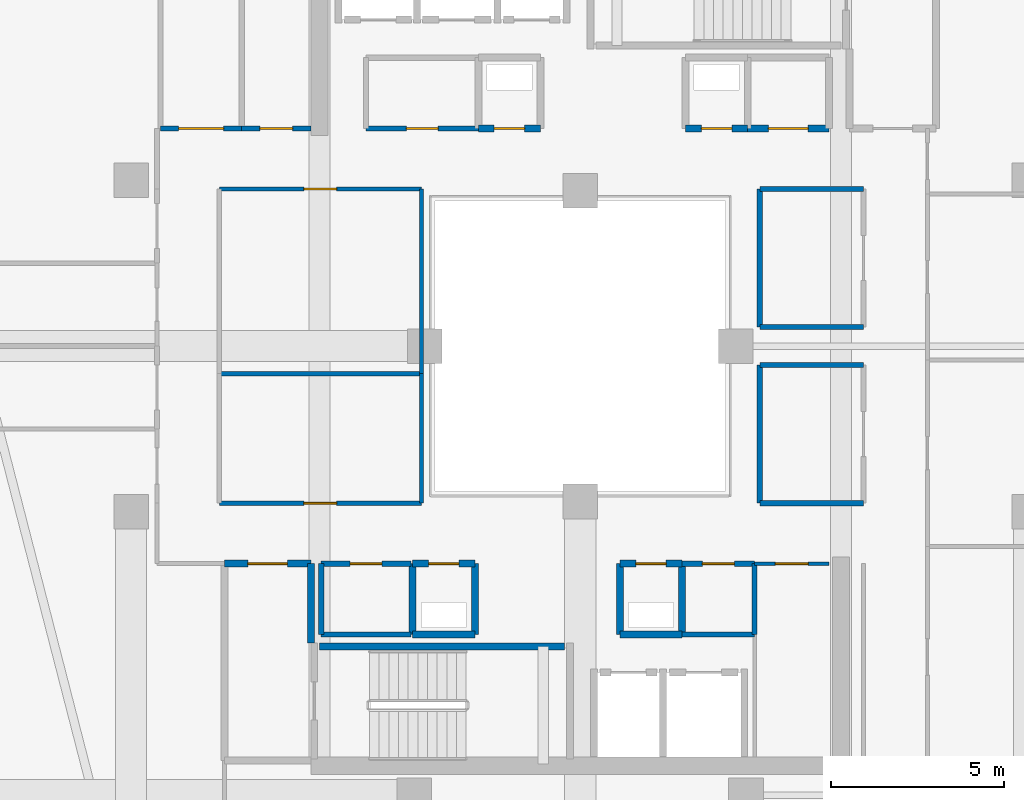
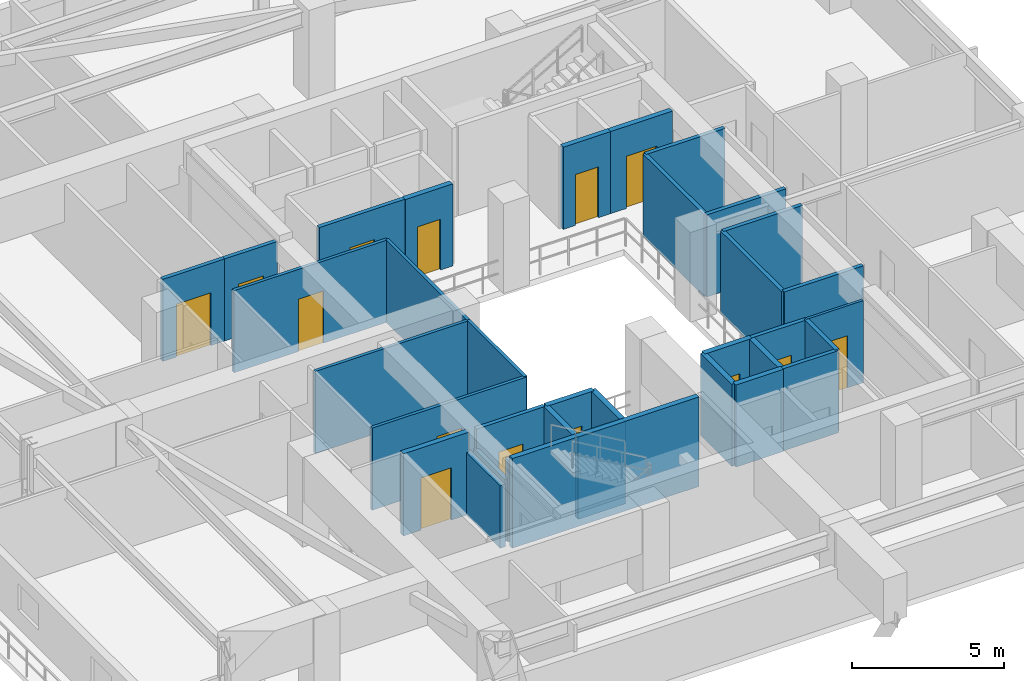
# One storey, part 22 of 35: 35 walls, 14 doors, 14 openings.
"""IFC4 building model written with IfcOpenShell, lengths in metres."""

import ifcopenshell
import ifcopenshell.guid

model = None  # the IFC model being written
_history = None  # IfcOwnerHistory: only IFC2X3 demands one
_inside = {}  # id of a spatial element -> (the spatial element, [elements in it])
_under = {}  # id of a project, library or spatial element -> (it, [spatial elements below it])
_declared = {}  # id of a project -> (the project, [libraries it declares])
_typed = {}  # id of a type object -> (the type object, [elements of that type])
_made_of = {}  # id of a material, layer set ... -> (it, [elements and type objects made of it])


def new_model(schema):
    """Start an empty IFC model of exactly this schema.

    Asked for "IFC4X3", IfcOpenShell would pick the latest addendum, in which some entities
    have other attributes; the version numbers below select the first issue.
    IFC2X3 requires an IfcOwnerHistory on every rooted entity: one is made here for all.
    """
    global model, _history
    if schema == "IFC4X3":
        model = ifcopenshell.file(schema_version=(4, 3, 0, 0))
    else:
        model = ifcopenshell.file(schema=schema)
    _inside.clear()
    _under.clear()
    _declared.clear()
    _typed.clear()
    _made_of.clear()
    _history = None
    if model.schema == "IFC2X3":
        org = make("IfcOrganization", Name="unknown")
        user = make(
            "IfcPersonAndOrganization",
            ThePerson=make("IfcPerson", FamilyName="unknown"),
            TheOrganization=org,
        )
        app = make(
            "IfcApplication",
            ApplicationDeveloper=org,
            Version="unknown",
            ApplicationFullName="unknown",
            ApplicationIdentifier="unknown",
        )
        _history = make(
            "IfcOwnerHistory",
            OwningUser=user,
            OwningApplication=app,
            ChangeAction="ADDED",
            CreationDate=0,
        )
    return model


def make(cls, **values):
    """One entity of the class cls with the attributes given. An attribute that is None is left unset."""
    return model.create_entity(
        cls, **{name: value for name, value in values.items() if value is not None}
    )


def rooted(cls, **values):
    """An entity with a GlobalId (a new one), such as an element, a storey or a relation."""
    return make(cls, GlobalId=ifcopenshell.guid.new(), OwnerHistory=_history, **values)


def si_unit(unit_type, name, prefix=None):
    """IfcSIUnit, for example si_unit("LENGTHUNIT", "METRE", prefix="MILLI")."""
    return make("IfcSIUnit", UnitType=unit_type, Prefix=prefix, Name=name)


def assignment(units):
    """IfcUnitAssignment: the units of a project."""
    return None if units is None else make("IfcUnitAssignment", Units=units)


def point(xyz):
    """IfcCartesianPoint."""
    return None if xyz is None else make("IfcCartesianPoint", Coordinates=xyz)


def direction(xyz):
    """IfcDirection."""
    return None if xyz is None else make("IfcDirection", DirectionRatios=xyz)


def frame(location, z_axis=None, x_axis=None):
    """IfcAxis2Placement3D, a coordinate frame: its origin and axes. An axis left out is left unset."""
    return make(
        "IfcAxis2Placement3D",
        Location=point(location),
        Axis=direction(z_axis),
        RefDirection=direction(x_axis),
    )


def frame_2d(location, x_axis=None):
    """IfcAxis2Placement2D, a coordinate frame in the plane: its origin and x axis."""
    return make(
        "IfcAxis2Placement2D", Location=point(location), RefDirection=direction(x_axis)
    )


def origin():
    """The frame at (0, 0, 0) with its axes left unset."""
    return frame((0.0, 0.0, 0.0))


def place(relative_to, where):
    """IfcLocalPlacement: puts the frame where relative to a parent placement (None: the world)."""
    return make(
        "IfcLocalPlacement", PlacementRelTo=relative_to, RelativePlacement=where
    )


def context(
    kind, dimensions, precision=None, world=None, true_north=None, identifier=None
):
    """IfcGeometricRepresentationContext, for example the 3D "Model" context."""
    return make(
        "IfcGeometricRepresentationContext",
        ContextIdentifier=identifier,
        ContextType=kind,
        CoordinateSpaceDimension=dimensions,
        Precision=precision,
        WorldCoordinateSystem=world,
        TrueNorth=true_north,
    )


def subcontext(parent, identifier, kind, view, scale=None):
    """IfcGeometricRepresentationSubContext, for example "Body" below "Model"."""
    return make(
        "IfcGeometricRepresentationSubContext",
        ContextIdentifier=identifier,
        ContextType=kind,
        ParentContext=parent,
        TargetScale=scale,
        TargetView=view,
    )


def project(units=None, contexts=None):
    """IfcProject with its units and contexts."""
    return rooted(
        "IfcProject",
        Name="project",
        RepresentationContexts=contexts,
        UnitsInContext=assignment(units),
    )


def spatial(cls, under=None, at=None, **own):
    """A site, building, storey or space (cls), placed at a placement, below another one or the project."""
    s = rooted(cls, ObjectPlacement=at, **own)
    if under is not None:
        _under.setdefault(under.id(), (under, []))[1].append(s)
    return s


def profile(cls, at=None, kind="AREA", **sizes):
    """A parametric profile (cls). Its sizes go by their IFC names, for example OverallWidth=200.0."""
    return make(cls, ProfileType=kind, Position=at, **sizes)


def rectangle(**sizes):
    """IfcRectangleProfileDef."""
    return profile("IfcRectangleProfileDef", **sizes)


def extrude(swept, where, along, depth):
    """IfcExtrudedAreaSolid: the profile swept, set in the frame where, extruded along a direction by depth."""
    return make(
        "IfcExtrudedAreaSolid",
        SweptArea=swept,
        Position=where,
        ExtrudedDirection=direction(along),
        Depth=depth,
    )


def shape(context_of_items, identifier, shape_type, items):
    """IfcShapeRepresentation: the items that make up one representation, for example the "Body"."""
    return make(
        "IfcShapeRepresentation",
        ContextOfItems=context_of_items,
        RepresentationIdentifier=identifier,
        RepresentationType=shape_type,
        Items=items,
    )


def material(Name=None, Category=None):
    """IfcMaterial."""
    return make("IfcMaterial", Name=Name, Category=Category)


def layer(
    of_material, thickness, ventilated=None, Name=None, Category=None, Priority=None
):
    """IfcMaterialLayer: one layer of a wall or slab, of a material (None: an air gap)."""
    return make(
        "IfcMaterialLayer",
        Material=of_material,
        LayerThickness=thickness,
        IsVentilated=ventilated,
        Name=Name,
        Category=Category,
        Priority=Priority,
    )


def layer_set(layers, Name=None):
    """IfcMaterialLayerSet."""
    return make("IfcMaterialLayerSet", MaterialLayers=layers, LayerSetName=Name)


def made_of(thing, what):
    """Note that an element or type object is made of a material, layer set ...; save() writes the relation."""
    if what is not None:
        _made_of.setdefault(what.id(), (what, []))[1].append(thing)
    return thing


def type_object(cls, material=None, **own):
    """A type object (cls), such as IfcWallType, which elements share."""
    return made_of(rooted(cls, **own), material)


def element(
    cls,
    number,
    at=None,
    inside=None,
    cuts=None,
    type_object=None,
    material=None,
    context=None,
    identifier="Body",
    shape_type=None,
    held_by="IfcProductDefinitionShape",
    body=None,
    shapes=None,
    **own,
):
    """One element of the class cls, such as IfcWall. Its Tag is "e" and its number.

    at: its placement. inside: the storey or other place that contains it. cuts: it is an
    opening in that element (IfcRelVoidsElement). A single representation is given by context,
    identifier, shape_type and body (its items); several are given by shapes. held_by: the class
    of the entity that holds the representations. save() writes the other relations.
    """
    e = rooted(cls, Tag="e%d" % number, ObjectPlacement=at, **own)
    if body is not None:
        shapes = [shape(context, identifier, shape_type, body)]
    if shapes is not None:
        e.Representation = make(held_by, Representations=shapes)
    if inside is not None:
        _inside.setdefault(inside.id(), (inside, []))[1].append(e)
    if cuts is not None:
        rooted(
            "IfcRelVoidsElement", RelatingBuildingElement=cuts, RelatedOpeningElement=e
        )
    if type_object is not None:
        _typed.setdefault(type_object.id(), (type_object, []))[1].append(e)
    return made_of(e, material)


def fill(opening, filler):
    """IfcRelFillsElement: the door or window that sits in an opening."""
    return rooted(
        "IfcRelFillsElement",
        RelatingOpeningElement=opening,
        RelatedBuildingElement=filler,
    )


def aggregate(whole, parts):
    """IfcRelAggregates: a whole, such as a stair, and the parts it consists of."""
    return rooted("IfcRelAggregates", RelatingObject=whole, RelatedObjects=parts)


def save(model, path):
    """Write the relations noted so far, then the file.

    IfcRelAggregates (storeys below a building ...), IfcRelContainedInSpatialStructure (elements
    in a storey), IfcRelDefinesByType, IfcRelAssociatesMaterial and IfcRelDeclares: one each for
    every whole, place, type object, material and project.
    """
    for whole, parts in _under.values():
        aggregate(whole, parts)
    for where, things in _inside.values():
        rooted(
            "IfcRelContainedInSpatialStructure",
            RelatedElements=things,
            RelatingStructure=where,
        )
    for kind, things in _typed.values():
        rooted("IfcRelDefinesByType", RelatedObjects=things, RelatingType=kind)
    for what, things in _made_of.values():
        rooted("IfcRelAssociatesMaterial", RelatedObjects=things, RelatingMaterial=what)
    for by, libraries in _declared.values():
        rooted("IfcRelDeclares", RelatingContext=by, RelatedDefinitions=libraries)
    model.write(path)


model = new_model("IFC4")

# Units and contexts
model_context = context("Model", 3, precision=1e-05, world=origin(), true_north=direction((0.0, 1.0)))
body_context = subcontext(model_context, "Body", "Model", "MODEL_VIEW")
ifc_project = project(units=[si_unit("LENGTHUNIT", "METRE"), si_unit("AREAUNIT", "SQUARE_METRE"), si_unit("VOLUMEUNIT", "CUBIC_METRE"), si_unit("PLANEANGLEUNIT", "RADIAN"), si_unit("MASSUNIT", "GRAM", prefix="KILO")], contexts=[model_context])

# Site, building, storey
site_placement = place(None, origin())
site = spatial("IfcSite", under=ifc_project, at=site_placement, CompositionType="ELEMENT")
building_placement = place(site_placement, origin())
building = spatial("IfcBuilding", under=site, at=building_placement, Name="Thornwick Lancets Civic Towers", CompositionType="ELEMENT")
storey_placement = place(building_placement, frame((0.0, 0.0, 225.89990234375)))
storey = spatial("IfcBuildingStorey", under=building, at=storey_placement, Name="L60", CompositionType="ELEMENT", Elevation=225.89990234375)

# Wall
ifc_material_1 = material(Name="Concrete blockwork C40/50", Category="masonry")
ifc_layer_1 = layer(ifc_material_1, 0.199951171875, Name="Concrete blockwork C40/50")
ifc_layer_set_1 = layer_set([ifc_layer_1], Name="Concrete blockwork C40/50")
wall_type_1 = type_object("IfcWallType", Name="WALL_COMP_200", PredefinedType="STANDARD", material=ifc_layer_set_1)
wall_1_placement = place(storey_placement, frame((17.699951171875, 18.39990234375, 0.0), z_axis=(0.0, 0.0, 1.0), x_axis=(0.0, 1.0, 0.0)))
element("IfcWall", 1, at=wall_1_placement, inside=storey, type_object=wall_type_1, Name="L60 Partition L60-A-FFLOB1 E2", PredefinedType="STANDARD", context=body_context, shape_type="SweptSolid", body=[
    extrude(rectangle(XDim=2.300048828125, YDim=0.199951171875, at=frame_2d((1.14990234375, 0.0))), origin(), (0.0, 0.0, 1.0), 2.505126953125),
])

# Wall, opening, door
wall_2_placement = place(storey_placement, frame((17.699951171875, 20.699951171875, 0.0), z_axis=(0.0, 0.0, 1.0), x_axis=(-1.0, 0.0, 0.0)))
wall_2 = element("IfcWall", 2, at=wall_2_placement, inside=storey, type_object=wall_type_1, Name="L60 Partition L60-A-FFLOB1 E3", PredefinedType="STANDARD", context=body_context, shape_type="SweptSolid", body=[
    extrude(rectangle(XDim=2.5, YDim=0.199951171875, at=frame_2d((1.25, 0.0))), origin(), (0.0, 0.0, 1.0), 3.300048828125),
])
opening_1_placement = place(wall_2_placement, frame((0.675048828125, 0.0, 0.0)))
opening_1 = element("IfcOpeningElement", 3, at=opening_1_placement, cuts=wall_2, Name="Opening D-L60-2681", PredefinedType="OPENING", context=body_context, shape_type="SweptSolid", body=[
    extrude(rectangle(XDim=1.14990234375, YDim=2.10009765625, at=frame_2d((0.574951171875, 1.050048828125))), frame((0.0, 0.10986328125, 0.0), z_axis=(0.0, -1.0, 0.0), x_axis=(1.0, 0.0, 0.0)), (0.0, 0.0, 1.0), 0.219970703125),
])
ifc_material_2 = material(Name="Glazed fire-resisting steel", Category="steel")
door_type_1 = type_object("IfcDoorType", Name="DOOR_LOBBY_FD60", OperationType="NOTDEFINED", PredefinedType="DOOR", material=ifc_material_2)
door_1_placement = place(opening_1_placement, origin())
door_1 = element("IfcDoor", 4, at=door_1_placement, inside=storey, type_object=door_type_1, Name="L60 South Firefighting Lobby 1 Door", OperationType="SINGLE_SWING_RIGHT", OverallHeight=2.10009765625, OverallWidth=1.14990234375, PredefinedType="DOOR", context=body_context, shape_type="SweptSolid", body=[
    extrude(rectangle(XDim=1.14990234375, YDim=2.10009765625, at=frame_2d((0.574951171875, 1.050048828125))), frame((0.0, 0.02490234375, 0.0), z_axis=(0.0, -1.0, 0.0), x_axis=(1.0, 0.0, 0.0)), (0.0, 0.0, 1.0), 0.050048828125),
])
fill(opening_1, door_1)

# Walls
wall_3_placement = place(storey_placement, frame((26.64990234375, 18.64990234375, 0.0), z_axis=(0.0, 0.0, 1.0), x_axis=(1.0, 0.0, 0.0)))
element("IfcWall", 5, at=wall_3_placement, inside=storey, type_object=wall_type_1, Name="L60 Partition L60-A-DUCT1 E1", PredefinedType="STANDARD", context=body_context, shape_type="SweptSolid", body=[
    extrude(rectangle(XDim=1.800048828125, YDim=0.199951171875, at=frame_2d((0.89990234375, 0.0))), origin(), (0.0, 0.0, 1.0), 3.300048828125),
])
wall_4_placement = place(storey_placement, frame((28.449951171875, 18.64990234375, 0.0), z_axis=(0.0, 0.0, 1.0), x_axis=(0.0, 1.0, 0.0)))
element("IfcWall", 6, at=wall_4_placement, inside=storey, type_object=wall_type_1, Name="L60 Partition L60-A-DUCT1 E2", PredefinedType="STANDARD", context=body_context, shape_type="SweptSolid", body=[
    extrude(rectangle(XDim=2.050048828125, YDim=0.199951171875, at=frame_2d((1.02490234375, 0.0))), origin(), (0.0, 0.0, 1.0), 3.300048828125),
])

# Wall, opening, door
wall_5_placement = place(storey_placement, frame((28.449951171875, 20.699951171875, 0.0), z_axis=(0.0, 0.0, 1.0), x_axis=(-1.0, 0.0, 0.0)))
wall_5 = element("IfcWall", 7, at=wall_5_placement, inside=storey, type_object=wall_type_1, Name="L60 Partition L60-A-DUCT1 E3", PredefinedType="STANDARD", context=body_context, shape_type="SweptSolid", body=[
    extrude(rectangle(XDim=1.800048828125, YDim=0.199951171875, at=frame_2d((0.89990234375, 0.0))), origin(), (0.0, 0.0, 1.0), 3.300048828125),
])
opening_2_placement = place(wall_5_placement, frame((0.4599609375, 0.0, 0.0)))
opening_2 = element("IfcOpeningElement", 8, at=opening_2_placement, cuts=wall_5, Name="Opening D-L60-2683", PredefinedType="OPENING", context=body_context, shape_type="SweptSolid", body=[
    extrude(rectangle(XDim=0.8798828125, YDim=2.0400390625, at=frame_2d((0.43994140625, 1.02001953125))), frame((0.0, 0.10986328125, 0.0), z_axis=(0.0, -1.0, 0.0), x_axis=(1.0, 0.0, 0.0)), (0.0, 0.0, 1.0), 0.219970703125),
])
ifc_material_3 = material(Name="Steel riser access doorset", Category="steel")
door_type_2 = type_object("IfcDoorType", Name="DOOR_RISER_850", OperationType="NOTDEFINED", PredefinedType="DOOR", material=ifc_material_3)
door_2_placement = place(opening_2_placement, origin())
door_2 = element("IfcDoor", 9, at=door_2_placement, inside=storey, type_object=door_type_2, Name="L60 South Service Duct 1 Door", OperationType="SINGLE_SWING_RIGHT", OverallHeight=2.0400390625, OverallWidth=0.8798828125, PredefinedType="DOOR", context=body_context, shape_type="SweptSolid", body=[
    extrude(rectangle(XDim=0.8798828125, YDim=2.0400390625, at=frame_2d((0.43994140625, 1.02001953125))), frame((0.0, 0.02490234375, 0.0), z_axis=(0.0, -1.0, 0.0), x_axis=(1.0, 0.0, 0.0)), (0.0, 0.0, 1.0), 0.050048828125),
])
fill(opening_2, door_2)

# Walls
wall_6_placement = place(storey_placement, frame((26.64990234375, 20.699951171875, 0.0), z_axis=(0.0, 0.0, 1.0), x_axis=(0.0, -1.0, 0.0)))
element("IfcWall", 10, at=wall_6_placement, inside=storey, type_object=wall_type_1, Name="L60 Partition L60-A-DUCT1 E4", PredefinedType="STANDARD", context=body_context, shape_type="SweptSolid", body=[
    extrude(rectangle(XDim=2.050048828125, YDim=0.199951171875, at=frame_2d((1.02490234375, 0.0))), origin(), (0.0, 0.0, 1.0), 3.300048828125),
])
wall_7_placement = place(storey_placement, frame((20.64990234375, 18.64990234375, 0.0), z_axis=(0.0, 0.0, 1.0), x_axis=(1.0, 0.0, 0.0)))
element("IfcWall", 11, at=wall_7_placement, inside=storey, type_object=wall_type_1, Name="L60 Partition L60-A-RISER1 E1", PredefinedType="STANDARD", context=body_context, shape_type="SweptSolid", body=[
    extrude(rectangle(XDim=1.800048828125, YDim=0.199951171875, at=frame_2d((0.89990234375, 0.0))), origin(), (0.0, 0.0, 1.0), 3.300048828125),
])
wall_8_placement = place(storey_placement, frame((22.449951171875, 18.64990234375, 0.0), z_axis=(0.0, 0.0, 1.0), x_axis=(0.0, 1.0, 0.0)))
element("IfcWall", 12, at=wall_8_placement, inside=storey, type_object=wall_type_1, Name="L60 Partition L60-A-RISER1 E2", PredefinedType="STANDARD", context=body_context, shape_type="SweptSolid", body=[
    extrude(rectangle(XDim=2.050048828125, YDim=0.199951171875, at=frame_2d((1.02490234375, 0.0))), origin(), (0.0, 0.0, 1.0), 3.300048828125),
])

# Wall, opening, door
wall_9_placement = place(storey_placement, frame((22.449951171875, 20.699951171875, 0.0), z_axis=(0.0, 0.0, 1.0), x_axis=(-1.0, 0.0, 0.0)))
wall_9 = element("IfcWall", 13, at=wall_9_placement, inside=storey, type_object=wall_type_1, Name="L60 Partition L60-A-RISER1 E3", PredefinedType="STANDARD", context=body_context, shape_type="SweptSolid", body=[
    extrude(rectangle(XDim=1.800048828125, YDim=0.199951171875, at=frame_2d((0.89990234375, 0.0))), origin(), (0.0, 0.0, 1.0), 3.300048828125),
])
opening_3_placement = place(wall_9_placement, frame((0.4599609375, 0.0, 0.0)))
opening_3 = element("IfcOpeningElement", 14, at=opening_3_placement, cuts=wall_9, Name="Opening D-L60-2684", PredefinedType="OPENING", context=body_context, shape_type="SweptSolid", body=[
    extrude(rectangle(XDim=0.8798828125, YDim=2.0400390625, at=frame_2d((0.43994140625, 1.02001953125))), frame((0.0, 0.10986328125, 0.0), z_axis=(0.0, -1.0, 0.0), x_axis=(1.0, 0.0, 0.0)), (0.0, 0.0, 1.0), 0.219970703125),
])
door_3_placement = place(opening_3_placement, origin())
door_3 = element("IfcDoor", 15, at=door_3_placement, inside=storey, type_object=door_type_2, Name="L60 South Electrical Riser 1 Door", OperationType="SINGLE_SWING_LEFT", OverallHeight=2.0400390625, OverallWidth=0.8798828125, PredefinedType="DOOR", context=body_context, shape_type="SweptSolid", body=[
    extrude(rectangle(XDim=0.8798828125, YDim=2.0400390625, at=frame_2d((0.43994140625, 1.02001953125))), frame((0.0, 0.02490234375, 0.0), z_axis=(0.0, -1.0, 0.0), x_axis=(1.0, 0.0, 0.0)), (0.0, 0.0, 1.0), 0.050048828125),
])
fill(opening_3, door_3)

# Wall
wall_10_placement = place(storey_placement, frame((20.64990234375, 20.699951171875, 0.0), z_axis=(0.0, 0.0, 1.0), x_axis=(0.0, -1.0, 0.0)))
element("IfcWall", 16, at=wall_10_placement, inside=storey, type_object=wall_type_1, Name="L60 Partition L60-A-RISER1 E4", PredefinedType="STANDARD", context=body_context, shape_type="SweptSolid", body=[
    extrude(rectangle(XDim=2.050048828125, YDim=0.199951171875, at=frame_2d((1.02490234375, 0.0))), origin(), (0.0, 0.0, 1.0), 3.300048828125),
])

# Wall, opening, door
wall_11_placement = place(storey_placement, frame((22.550048828125, 33.300048828125, 0.0), z_axis=(0.0, 0.0, 1.0), x_axis=(1.0, 0.0, 0.0)))
wall_11 = element("IfcWall", 17, at=wall_11_placement, inside=storey, type_object=wall_type_1, Name="L60 Partition L60-A-DUCT2 E1", PredefinedType="STANDARD", context=body_context, shape_type="SweptSolid", body=[
    extrude(rectangle(XDim=1.800048828125, YDim=0.199951171875, at=frame_2d((0.89990234375, 0.0))), origin(), (0.0, 0.0, 1.0), 3.300048828125),
])
opening_4_placement = place(wall_11_placement, frame((0.4599609375, 0.0, 0.0)))
opening_4 = element("IfcOpeningElement", 18, at=opening_4_placement, cuts=wall_11, Name="Opening D-L60-2685", PredefinedType="OPENING", context=body_context, shape_type="SweptSolid", body=[
    extrude(rectangle(XDim=0.8798828125, YDim=2.0400390625, at=frame_2d((0.43994140625, 1.02001953125))), frame((0.0, 0.10986328125, 0.0), z_axis=(0.0, -1.0, 0.0), x_axis=(1.0, 0.0, 0.0)), (0.0, 0.0, 1.0), 0.219970703125),
])
door_4_placement = place(opening_4_placement, origin())
door_4 = element("IfcDoor", 19, at=door_4_placement, inside=storey, type_object=door_type_2, Name="L60 North Service Duct 2 Door", OperationType="SINGLE_SWING_RIGHT", OverallHeight=2.0400390625, OverallWidth=0.8798828125, PredefinedType="DOOR", context=body_context, shape_type="SweptSolid", body=[
    extrude(rectangle(XDim=0.8798828125, YDim=2.0400390625, at=frame_2d((0.43994140625, 1.02001953125))), frame((0.0, 0.02490234375, 0.0), z_axis=(0.0, -1.0, 0.0), x_axis=(1.0, 0.0, 0.0)), (0.0, 0.0, 1.0), 0.050048828125),
])
fill(opening_4, door_4)

wall_12_placement = place(storey_placement, frame((28.550048828125, 33.300048828125, 0.0), z_axis=(0.0, 0.0, 1.0), x_axis=(1.0, 0.0, 0.0)))
wall_12 = element("IfcWall", 20, at=wall_12_placement, inside=storey, type_object=wall_type_1, Name="L60 Partition L60-A-RISER2 E1", PredefinedType="STANDARD", context=body_context, shape_type="SweptSolid", body=[
    extrude(rectangle(XDim=1.800048828125, YDim=0.199951171875, at=frame_2d((0.89990234375, 0.0))), origin(), (0.0, 0.0, 1.0), 3.300048828125),
])
opening_5_placement = place(wall_12_placement, frame((0.4599609375, 0.0, 0.0)))
opening_5 = element("IfcOpeningElement", 21, at=opening_5_placement, cuts=wall_12, Name="Opening D-L60-2686", PredefinedType="OPENING", context=body_context, shape_type="SweptSolid", body=[
    extrude(rectangle(XDim=0.8798828125, YDim=2.0400390625, at=frame_2d((0.43994140625, 1.02001953125))), frame((0.0, 0.10986328125, 0.0), z_axis=(0.0, -1.0, 0.0), x_axis=(1.0, 0.0, 0.0)), (0.0, 0.0, 1.0), 0.219970703125),
])
door_5_placement = place(opening_5_placement, origin())
door_5 = element("IfcDoor", 22, at=door_5_placement, inside=storey, type_object=door_type_2, Name="L60 North Service Riser 2 Door", OperationType="SINGLE_SWING_LEFT", OverallHeight=2.0400390625, OverallWidth=0.8798828125, PredefinedType="DOOR", context=body_context, shape_type="SweptSolid", body=[
    extrude(rectangle(XDim=0.8798828125, YDim=2.0400390625, at=frame_2d((0.43994140625, 1.02001953125))), frame((0.0, 0.02490234375, 0.0), z_axis=(0.0, -1.0, 0.0), x_axis=(1.0, 0.0, 0.0)), (0.0, 0.0, 1.0), 0.050048828125),
])
fill(opening_5, door_5)

wall_13_placement = place(storey_placement, frame((32.699951171875, 33.300048828125, 0.0), z_axis=(0.0, 0.0, 1.0), x_axis=(-1.0, 0.0, 0.0)))
wall_13 = element("IfcWall", 23, at=wall_13_placement, inside=storey, type_object=wall_type_1, Name="L60 Partition L60-A-STR E2", PredefinedType="STANDARD", context=body_context, shape_type="SweptSolid", body=[
    extrude(rectangle(XDim=2.349853515625, YDim=0.199951171875, at=frame_2d((1.1748046875, 0.0))), origin(), (0.0, 0.0, 1.0), 3.300048828125),
])
opening_6_placement = place(wall_13_placement, frame((0.60009765625, 0.0, 0.0)))
opening_6 = element("IfcOpeningElement", 24, at=opening_6_placement, cuts=wall_13, Name="Opening D-L60-2691", PredefinedType="OPENING", context=body_context, shape_type="SweptSolid", body=[
    extrude(rectangle(XDim=1.14990234375, YDim=2.10009765625, at=frame_2d((0.574951171875, 1.050048828125))), frame((0.0, 0.10986328125, 0.0), z_axis=(0.0, -1.0, 0.0), x_axis=(1.0, 0.0, 0.0)), (0.0, 0.0, 1.0), 0.219970703125),
])
door_6_placement = place(opening_6_placement, origin())
door_6 = element("IfcDoor", 25, at=door_6_placement, inside=storey, type_object=door_type_1, Name="L60 Tower A Core Equipment Store Door", OperationType="SINGLE_SWING_RIGHT", OverallHeight=2.10009765625, OverallWidth=1.14990234375, PredefinedType="DOOR", context=body_context, shape_type="SweptSolid", body=[
    extrude(rectangle(XDim=1.14990234375, YDim=2.10009765625, at=frame_2d((0.574951171875, 1.050048828125))), frame((0.0, 0.02490234375, 0.0), z_axis=(0.0, -1.0, 0.0), x_axis=(1.0, 0.0, 0.0)), (0.0, 0.0, 1.0), 0.050048828125),
])
fill(opening_6, door_6)

ifc_material_4 = material(Name="Lightweight cellular office partition")
ifc_layer_2 = layer(ifc_material_4, 0.10009765625, Name="Lightweight cellular office partition")
ifc_layer_set_2 = layer_set([ifc_layer_2], Name="Lightweight cellular office partition")
wall_type_2 = type_object("IfcWallType", Name="WALL_PART_100", PredefinedType="PARTITIONING", material=ifc_layer_set_2)
wall_14_placement = place(storey_placement, frame((30.550048828125, 20.699951171875, 0.0), z_axis=(0.0, 0.0, 1.0), x_axis=(1.0, 0.0, 0.0)))
wall_14 = element("IfcWall", 26, at=wall_14_placement, inside=storey, type_object=wall_type_2, Name="L60 Partition L60-A-CLN E5", PredefinedType="PARTITIONING", context=body_context, shape_type="SweptSolid", body=[
    extrude(rectangle(XDim=2.14990234375, YDim=0.10009765625, at=frame_2d((1.074951171875, 0.0))), origin(), (0.0, 0.0, 1.0), 3.300048828125),
])
opening_7_placement = place(wall_14_placement, frame((0.60009765625, 0.0, 0.0)))
opening_7 = element("IfcOpeningElement", 27, at=opening_7_placement, cuts=wall_14, Name="Opening D-L60-2689", PredefinedType="OPENING", context=body_context, shape_type="SweptSolid", body=[
    extrude(rectangle(XDim=0.949951171875, YDim=2.10009765625, at=frame_2d((0.47509765625, 1.050048828125))), frame((0.0, 0.06005859375, 0.0), z_axis=(0.0, -1.0, 0.0), x_axis=(1.0, 0.0, 0.0)), (0.0, 0.0, 1.0), 0.1201171875),
])
ifc_material_5 = material(Name="European oak acoustic doorset")
door_type_3 = type_object("IfcDoorType", Name="DOOR_OFFICE_950", OperationType="NOTDEFINED", PredefinedType="DOOR", material=ifc_material_5)
door_7_placement = place(opening_7_placement, origin())
door_7 = element("IfcDoor", 28, at=door_7_placement, inside=storey, type_object=door_type_3, Name="L60 Tower A Cleaners Store Door", OperationType="SINGLE_SWING_RIGHT", OverallHeight=2.10009765625, OverallWidth=0.949951171875, PredefinedType="DOOR", context=body_context, shape_type="SweptSolid", body=[
    extrude(rectangle(XDim=0.949951171875, YDim=2.10009765625, at=frame_2d((0.47509765625, 1.050048828125))), frame((0.0, 0.02490234375, 0.0), z_axis=(0.0, -1.0, 0.0), x_axis=(1.0, 0.0, 0.0)), (0.0, 0.0, 1.0), 0.050048828125),
])
fill(opening_7, door_7)

# Walls
ifc_material_6 = material(Name="Acoustic gypsum board partition")
ifc_layer_3 = layer(ifc_material_6, 0.1201171875, Name="Acoustic gypsum board partition")
ifc_layer_set_3 = layer_set([ifc_layer_3], Name="Acoustic gypsum board partition")
wall_type_3 = type_object("IfcWallType", Name="WALL_PART_120", PredefinedType="PARTITIONING", material=ifc_layer_set_3)
wall_15_placement = place(storey_placement, frame((15.050048828125, 26.199951171875, 0.0), z_axis=(0.0, 0.0, 1.0), x_axis=(1.0, 0.0, 0.0)))
element("IfcWall", 29, at=wall_15_placement, inside=storey, type_object=wall_type_3, Name="L60 Partition L60-A-W3 E2", PredefinedType="PARTITIONING", context=body_context, shape_type="SweptSolid", body=[
    extrude(rectangle(XDim=5.849853515625, YDim=0.1201171875, at=frame_2d((2.9248046875, 0.0))), origin(), (0.0, 0.0, 1.0), 3.300048828125),
])
wall_16_placement = place(storey_placement, frame((20.89990234375, 26.199951171875, 0.0), z_axis=(0.0, 0.0, 1.0), x_axis=(0.0, -1.0, 0.0)))
element("IfcWall", 30, at=wall_16_placement, inside=storey, type_object=wall_type_3, Name="L60 Partition L60-A-W3 E3", PredefinedType="PARTITIONING", context=body_context, shape_type="SweptSolid", body=[
    extrude(rectangle(XDim=3.75, YDim=0.1201171875, at=frame_2d((1.875, 0.0))), origin(), (0.0, 0.0, 1.0), 3.300048828125),
])

# Wall, opening, door
wall_17_placement = place(storey_placement, frame((20.89990234375, 22.449951171875, 0.0), z_axis=(0.0, 0.0, 1.0), x_axis=(-1.0, 0.0, 0.0)))
wall_17 = element("IfcWall", 31, at=wall_17_placement, inside=storey, type_object=wall_type_3, Name="L60 Partition L60-A-W3 E4", PredefinedType="PARTITIONING", context=body_context, shape_type="SweptSolid", body=[
    extrude(rectangle(XDim=5.849853515625, YDim=0.1201171875, at=frame_2d((2.9248046875, 0.0))), origin(), (0.0, 0.0, 1.0), 3.300048828125),
])
opening_8_placement = place(wall_17_placement, frame((2.449951171875, 0.0, 0.0)))
opening_8 = element("IfcOpeningElement", 32, at=opening_8_placement, cuts=wall_17, Name="Opening D-L60-2710", PredefinedType="OPENING", context=body_context, shape_type="SweptSolid", body=[
    extrude(rectangle(XDim=0.949951171875, YDim=2.10009765625, at=frame_2d((0.47509765625, 1.050048828125))), frame((0.0, 0.070068359375, 0.0), z_axis=(0.0, -1.0, 0.0), x_axis=(1.0, 0.0, 0.0)), (0.0, 0.0, 1.0), 0.14013671875),
])
door_8_placement = place(opening_8_placement, origin())
door_8 = element("IfcDoor", 33, at=door_8_placement, inside=storey, type_object=door_type_3, Name="L60 Tower A Staff Tea Pantry and Lounge Door", OperationType="SINGLE_SWING_LEFT", OverallHeight=2.10009765625, OverallWidth=0.949951171875, PredefinedType="DOOR", context=body_context, shape_type="SweptSolid", body=[
    extrude(rectangle(XDim=0.949951171875, YDim=2.10009765625, at=frame_2d((0.47509765625, 1.050048828125))), frame((0.0, 0.02490234375, 0.0), z_axis=(0.0, -1.0, 0.0), x_axis=(1.0, 0.0, 0.0)), (0.0, 0.0, 1.0), 0.050048828125),
])
fill(opening_8, door_8)

wall_18_placement = place(storey_placement, frame((15.050048828125, 31.550048828125, 0.0), z_axis=(0.0, 0.0, 1.0), x_axis=(1.0, 0.0, 0.0)))
wall_18 = element("IfcWall", 34, at=wall_18_placement, inside=storey, type_object=wall_type_3, Name="L60 Partition L60-A-W4 E2", PredefinedType="PARTITIONING", context=body_context, shape_type="SweptSolid", body=[
    extrude(rectangle(XDim=5.849853515625, YDim=0.1201171875, at=frame_2d((2.9248046875, 0.0))), origin(), (0.0, 0.0, 1.0), 3.300048828125),
])
opening_9_placement = place(wall_18_placement, frame((2.449951171875, 0.0, 0.0)))
opening_9 = element("IfcOpeningElement", 35, at=opening_9_placement, cuts=wall_18, Name="Opening D-L60-2711", PredefinedType="OPENING", context=body_context, shape_type="SweptSolid", body=[
    extrude(rectangle(XDim=0.949951171875, YDim=2.10009765625, at=frame_2d((0.47509765625, 1.050048828125))), frame((0.0, 0.070068359375, 0.0), z_axis=(0.0, -1.0, 0.0), x_axis=(1.0, 0.0, 0.0)), (0.0, 0.0, 1.0), 0.14013671875),
])
door_9_placement = place(opening_9_placement, origin())
door_9 = element("IfcDoor", 36, at=door_9_placement, inside=storey, type_object=door_type_3, Name="L60 Tower A Statutory Research Library W4 Door", OperationType="SINGLE_SWING_RIGHT", OverallHeight=2.10009765625, OverallWidth=0.949951171875, PredefinedType="DOOR", context=body_context, shape_type="SweptSolid", body=[
    extrude(rectangle(XDim=0.949951171875, YDim=2.10009765625, at=frame_2d((0.47509765625, 1.050048828125))), frame((0.0, 0.02490234375, 0.0), z_axis=(0.0, -1.0, 0.0), x_axis=(1.0, 0.0, 0.0)), (0.0, 0.0, 1.0), 0.050048828125),
])
fill(opening_9, door_9)

# Walls
wall_19_placement = place(storey_placement, frame((20.89990234375, 31.550048828125, 0.0), z_axis=(0.0, 0.0, 1.0), x_axis=(0.0, -1.0, 0.0)))
element("IfcWall", 37, at=wall_19_placement, inside=storey, type_object=wall_type_3, Name="L60 Partition L60-A-W4 E3", PredefinedType="PARTITIONING", context=body_context, shape_type="SweptSolid", body=[
    extrude(rectangle(XDim=5.35009765625, YDim=0.1201171875, at=frame_2d((2.675048828125, 0.0))), origin(), (0.0, 0.0, 1.0), 3.300048828125),
])
ifc_material_7 = material(Name="Twin-stud acoustic gypsum board")
ifc_layer_4 = layer(ifc_material_7, 0.14990234375, Name="Twin-stud acoustic gypsum board")
ifc_layer_set_4 = layer_set([ifc_layer_4], Name="Twin-stud acoustic gypsum board")
wall_type_4 = type_object("IfcWallType", Name="WALL_PART_150", PredefinedType="PARTITIONING", material=ifc_layer_set_4)
wall_20_placement = place(storey_placement, frame((18.0, 18.64990234375, 0.0), z_axis=(0.0, 0.0, 1.0), x_axis=(1.0, 0.0, 0.0)))
element("IfcWall", 38, at=wall_20_placement, inside=storey, type_object=wall_type_4, Name="L60 Partition L60-A-AWC E1", PredefinedType="PARTITIONING", context=body_context, shape_type="SweptSolid", body=[
    extrude(rectangle(XDim=2.60009765625, YDim=0.14990234375, at=frame_2d((1.300048828125, 0.0))), origin(), (0.0, 0.0, 1.0), 3.300048828125),
])

# Wall, opening, door
wall_21_placement = place(storey_placement, frame((20.60009765625, 20.699951171875, 0.0), z_axis=(0.0, 0.0, 1.0), x_axis=(-1.0, 0.0, 0.0)))
wall_21 = element("IfcWall", 39, at=wall_21_placement, inside=storey, type_object=wall_type_4, Name="L60 Partition L60-A-AWC E3", PredefinedType="PARTITIONING", context=body_context, shape_type="SweptSolid", body=[
    extrude(rectangle(XDim=2.60009765625, YDim=0.14990234375, at=frame_2d((1.300048828125, 0.0))), origin(), (0.0, 0.0, 1.0), 3.300048828125),
])
opening_10_placement = place(wall_21_placement, frame((0.840087890625, 0.0, 0.0)))
opening_10 = element("IfcOpeningElement", 40, at=opening_10_placement, cuts=wall_21, Name="Opening D-L60-2687", PredefinedType="OPENING", context=body_context, shape_type="SweptSolid", body=[
    extrude(rectangle(XDim=0.919921875, YDim=2.080078125, at=frame_2d((0.4599609375, 1.0400390625))), frame((0.0, 0.0849609375, 0.0), z_axis=(0.0, -1.0, 0.0), x_axis=(1.0, 0.0, 0.0)), (0.0, 0.0, 1.0), 0.169921875),
])
ifc_material_8 = material(Name="Moisture-resistant oak doorset")
door_type_4 = type_object("IfcDoorType", Name="DOOR_WC_900", OperationType="NOTDEFINED", PredefinedType="DOOR", material=ifc_material_8)
door_10_placement = place(opening_10_placement, origin())
door_10 = element("IfcDoor", 41, at=door_10_placement, inside=storey, type_object=door_type_4, Name="L60 Tower A Accessible WC Door", OperationType="SINGLE_SWING_RIGHT", OverallHeight=2.080078125, OverallWidth=0.919921875, PredefinedType="DOOR", context=body_context, shape_type="SweptSolid", body=[
    extrude(rectangle(XDim=0.919921875, YDim=2.080078125, at=frame_2d((0.4599609375, 1.0400390625))), frame((0.0, 0.02490234375, 0.0), z_axis=(0.0, -1.0, 0.0), x_axis=(1.0, 0.0, 0.0)), (0.0, 0.0, 1.0), 0.050048828125),
])
fill(opening_10, door_10)

# Walls
wall_22_placement = place(storey_placement, frame((18.0, 20.699951171875, 0.0), z_axis=(0.0, 0.0, 1.0), x_axis=(0.0, -1.0, 0.0)))
element("IfcWall", 42, at=wall_22_placement, inside=storey, type_object=wall_type_4, Name="L60 Partition L60-A-AWC E4", PredefinedType="PARTITIONING", context=body_context, shape_type="SweptSolid", body=[
    extrude(rectangle(XDim=2.050048828125, YDim=0.14990234375, at=frame_2d((1.02490234375, 0.0))), origin(), (0.0, 0.0, 1.0), 2.505126953125),
])
wall_23_placement = place(storey_placement, frame((30.550048828125, 20.699951171875, 0.0), z_axis=(0.0, 0.0, 1.0), x_axis=(0.0, -1.0, 0.0)))
element("IfcWall", 43, at=wall_23_placement, inside=storey, type_object=wall_type_4, Name="L60 Partition L60-A-MWC E1", PredefinedType="PARTITIONING", context=body_context, shape_type="SweptSolid", body=[
    extrude(rectangle(XDim=2.050048828125, YDim=0.14990234375, at=frame_2d((1.02490234375, 0.0))), origin(), (0.0, 0.0, 1.0), 3.300048828125),
])
wall_24_placement = place(storey_placement, frame((30.550048828125, 18.64990234375, 0.0), z_axis=(0.0, 0.0, 1.0), x_axis=(-1.0, 0.0, 0.0)))
element("IfcWall", 44, at=wall_24_placement, inside=storey, type_object=wall_type_4, Name="L60 Partition L60-A-MWC E2", PredefinedType="PARTITIONING", context=body_context, shape_type="SweptSolid", body=[
    extrude(rectangle(XDim=2.10009765625, YDim=0.14990234375, at=frame_2d((1.050048828125, 0.0))), origin(), (0.0, 0.0, 1.0), 3.300048828125),
])

# Wall, opening, door
wall_25_placement = place(storey_placement, frame((28.449951171875, 20.699951171875, 0.0), z_axis=(0.0, 0.0, 1.0), x_axis=(1.0, 0.0, 0.0)))
wall_25 = element("IfcWall", 45, at=wall_25_placement, inside=storey, type_object=wall_type_4, Name="L60 Partition L60-A-MWC E4", PredefinedType="PARTITIONING", context=body_context, shape_type="SweptSolid", body=[
    extrude(rectangle(XDim=2.10009765625, YDim=0.14990234375, at=frame_2d((1.050048828125, 0.0))), origin(), (0.0, 0.0, 1.0), 3.300048828125),
])
opening_11_placement = place(wall_25_placement, frame((0.590087890625, 0.0, 0.0)))
opening_11 = element("IfcOpeningElement", 46, at=opening_11_placement, cuts=wall_25, Name="Opening D-L60-2688", PredefinedType="OPENING", context=body_context, shape_type="SweptSolid", body=[
    extrude(rectangle(XDim=0.919921875, YDim=2.080078125, at=frame_2d((0.4599609375, 1.0400390625))), frame((0.0, 0.0849609375, 0.0), z_axis=(0.0, -1.0, 0.0), x_axis=(1.0, 0.0, 0.0)), (0.0, 0.0, 1.0), 0.169921875),
])
door_11_placement = place(opening_11_placement, origin())
door_11 = element("IfcDoor", 47, at=door_11_placement, inside=storey, type_object=door_type_4, Name="L60 Tower A Male WC Door", OperationType="SINGLE_SWING_LEFT", OverallHeight=2.080078125, OverallWidth=0.919921875, PredefinedType="DOOR", context=body_context, shape_type="SweptSolid", body=[
    extrude(rectangle(XDim=0.919921875, YDim=2.080078125, at=frame_2d((0.4599609375, 1.0400390625))), frame((0.0, 0.02490234375, 0.0), z_axis=(0.0, -1.0, 0.0), x_axis=(1.0, 0.0, 0.0)), (0.0, 0.0, 1.0), 0.050048828125),
])
fill(opening_11, door_11)

wall_26_placement = place(storey_placement, frame((22.550048828125, 33.300048828125, 0.0), z_axis=(0.0, 0.0, 1.0), x_axis=(-1.0, 0.0, 0.0)))
wall_26 = element("IfcWall", 48, at=wall_26_placement, inside=storey, type_object=wall_type_4, Name="L60 Partition L60-A-FWC E4", PredefinedType="PARTITIONING", context=body_context, shape_type="SweptSolid", body=[
    extrude(rectangle(XDim=3.25, YDim=0.14990234375, at=frame_2d((1.625, 0.0))), origin(), (0.0, 0.0, 1.0), 3.300048828125),
])
opening_12_placement = place(wall_26_placement, frame((1.1650390625, 0.0, 0.0)))
opening_12 = element("IfcOpeningElement", 49, at=opening_12_placement, cuts=wall_26, Name="Opening D-L60-2690", PredefinedType="OPENING", context=body_context, shape_type="SweptSolid", body=[
    extrude(rectangle(XDim=0.919921875, YDim=2.080078125, at=frame_2d((0.4599609375, 1.0400390625))), frame((0.0, 0.0849609375, 0.0), z_axis=(0.0, -1.0, 0.0), x_axis=(1.0, 0.0, 0.0)), (0.0, 0.0, 1.0), 0.169921875),
])
door_12_placement = place(opening_12_placement, origin())
door_12 = element("IfcDoor", 50, at=door_12_placement, inside=storey, type_object=door_type_4, Name="L60 Tower A Female WC Door", OperationType="SINGLE_SWING_LEFT", OverallHeight=2.080078125, OverallWidth=0.919921875, PredefinedType="DOOR", context=body_context, shape_type="SweptSolid", body=[
    extrude(rectangle(XDim=0.919921875, YDim=2.080078125, at=frame_2d((0.4599609375, 1.0400390625))), frame((0.0, 0.02490234375, 0.0), z_axis=(0.0, -1.0, 0.0), x_axis=(1.0, 0.0, 0.0)), (0.0, 0.0, 1.0), 0.050048828125),
])
fill(opening_12, door_12)

wall_27_placement = place(storey_placement, frame((15.699951171875, 33.300048828125, 0.0), z_axis=(0.0, 0.0, 1.0), x_axis=(-1.0, 0.0, 0.0)))
wall_27 = element("IfcWall", 51, at=wall_27_placement, inside=storey, type_object=wall_type_4, Name="L60 Partition L60-A-RECLAIM-M1 E4", PredefinedType="PARTITIONING", context=body_context, shape_type="SweptSolid", body=[
    extrude(rectangle(XDim=2.349853515625, YDim=0.14990234375, at=frame_2d((1.1748046875, 0.0))), origin(), (0.0, 0.0, 1.0), 3.300048828125),
])
opening_13_placement = place(wall_27_placement, frame((0.52490234375, 0.0, 0.0)))
opening_13 = element("IfcOpeningElement", 52, at=opening_13_placement, cuts=wall_27, Name="Opening D-L60-2704", PredefinedType="OPENING", context=body_context, shape_type="SweptSolid", body=[
    extrude(rectangle(XDim=1.300048828125, YDim=2.1201171875, at=frame_2d((0.64990234375, 1.06005859375))), frame((0.0, 0.0849609375, 0.0), z_axis=(0.0, -1.0, 0.0), x_axis=(1.0, 0.0, 0.0)), (0.0, 0.0, 1.0), 0.169921875),
])
ifc_material_9 = material(Name="Acoustic oak leaf-and-a-half doorset")
door_type_5 = type_object("IfcDoorType", Name="DOOR_MEET_1300", OperationType="DOUBLE_DOOR_SINGLE_SWING", PredefinedType="DOOR", material=ifc_material_9)
door_13_placement = place(opening_13_placement, origin())
door_13 = element("IfcDoor", 53, at=door_13_placement, inside=storey, type_object=door_type_5, Name="L60 Tower A Diplomatic Conference Room Door", OperationType="DOUBLE_DOOR_SINGLE_SWING", OverallHeight=2.1201171875, OverallWidth=1.300048828125, PredefinedType="DOOR", context=body_context, shape_type="SweptSolid", body=[
    extrude(rectangle(XDim=1.300048828125, YDim=2.1201171875, at=frame_2d((0.64990234375, 1.06005859375))), frame((0.0, 0.02490234375, 0.0), z_axis=(0.0, -1.0, 0.0), x_axis=(1.0, 0.0, 0.0)), (0.0, 0.0, 1.0), 0.050048828125),
])
fill(opening_13, door_13)

wall_28_placement = place(storey_placement, frame((17.699951171875, 33.300048828125, 0.0), z_axis=(0.0, 0.0, 1.0), x_axis=(-1.0, 0.0, 0.0)))
wall_28 = element("IfcWall", 54, at=wall_28_placement, inside=storey, type_object=wall_type_4, Name="L60 Partition L60-A-RECLAIM-M2 E4", PredefinedType="PARTITIONING", context=body_context, shape_type="SweptSolid", body=[
    extrude(rectangle(XDim=2.0, YDim=0.14990234375, at=frame_2d((1.0, 0.0))), origin(), (0.0, 0.0, 1.0), 3.300048828125),
])
opening_14_placement = place(wall_28_placement, frame((0.52490234375, 0.0, 0.0)))
opening_14 = element("IfcOpeningElement", 55, at=opening_14_placement, cuts=wall_28, Name="Opening D-L60-2705", PredefinedType="OPENING", context=body_context, shape_type="SweptSolid", body=[
    extrude(rectangle(XDim=0.949951171875, YDim=2.10009765625, at=frame_2d((0.47509765625, 1.050048828125))), frame((0.0, 0.0849609375, 0.0), z_axis=(0.0, -1.0, 0.0), x_axis=(1.0, 0.0, 0.0)), (0.0, 0.0, 1.0), 0.169921875),
])
door_14_placement = place(opening_14_placement, origin())
door_14 = element("IfcDoor", 56, at=door_14_placement, inside=storey, type_object=door_type_3, Name="L60 Tower A Executive Records Archive Door", OperationType="SINGLE_SWING_RIGHT", OverallHeight=2.10009765625, OverallWidth=0.949951171875, PredefinedType="DOOR", context=body_context, shape_type="SweptSolid", body=[
    extrude(rectangle(XDim=0.949951171875, YDim=2.10009765625, at=frame_2d((0.47509765625, 1.050048828125))), frame((0.0, 0.02490234375, 0.0), z_axis=(0.0, -1.0, 0.0), x_axis=(1.0, 0.0, 0.0)), (0.0, 0.0, 1.0), 0.050048828125),
])
fill(opening_14, door_14)

# Walls
wall_29_placement = place(storey_placement, frame((30.699951171875, 22.449951171875, 0.0), z_axis=(0.0, 0.0, 1.0), x_axis=(0.0, 1.0, 0.0)))
element("IfcWall", 57, at=wall_29_placement, inside=storey, type_object=wall_type_4, Name="L60 Partition L60-A-E-ATR-1 E1", PredefinedType="PARTITIONING", context=body_context, shape_type="SweptSolid", body=[
    extrude(rectangle(XDim=4.0, YDim=0.14990234375, at=frame_2d((2.0, 0.0))), origin(), (0.0, 0.0, 1.0), 3.300048828125),
])
for number, where, z_axis, x_axis, name in (
    (58, (30.699951171875, 26.449951171875, 0.0), (0.0, 0.0, 1.0), (1.0, 0.0, 0.0), "L60 Partition L60-A-E-ATR-1 E2"),
    (59, (33.699951171875, 22.449951171875, 0.0), (0.0, 0.0, 1.0), (-1.0, 0.0, 0.0), "L60 Partition L60-A-E-ATR-1 E4"),
):
    element("IfcWall", number, at=place(storey_placement, frame(where, z_axis=z_axis, x_axis=x_axis)), inside=storey, type_object=wall_type_4, Name=name, PredefinedType="PARTITIONING", context=body_context, shape_type="SweptSolid", body=[
        extrude(rectangle(XDim=3.0, YDim=0.14990234375, at=frame_2d((1.5, 0.0))), origin(), (0.0, 0.0, 1.0), 3.300048828125),
    ])
wall_30_placement = place(storey_placement, frame((30.699951171875, 27.550048828125, 0.0), z_axis=(0.0, 0.0, 1.0), x_axis=(0.0, 1.0, 0.0)))
element("IfcWall", 60, at=wall_30_placement, inside=storey, type_object=wall_type_4, Name="L60 Partition L60-A-E-ATR-2 E1", PredefinedType="PARTITIONING", context=body_context, shape_type="SweptSolid", body=[
    extrude(rectangle(XDim=4.0, YDim=0.14990234375, at=frame_2d((2.0, 0.0))), origin(), (0.0, 0.0, 1.0), 3.300048828125),
])
for number, where, z_axis, x_axis, name in (
    (61, (30.699951171875, 31.550048828125, 0.0), (0.0, 0.0, 1.0), (1.0, 0.0, 0.0), "L60 Partition L60-A-E-ATR-2 E2"),
    (62, (33.699951171875, 27.550048828125, 0.0), (0.0, 0.0, 1.0), (-1.0, 0.0, 0.0), "L60 Partition L60-A-E-ATR-2 E4"),
):
    element("IfcWall", number, at=place(storey_placement, frame(where, z_axis=z_axis, x_axis=x_axis)), inside=storey, type_object=wall_type_4, Name=name, PredefinedType="PARTITIONING", context=body_context, shape_type="SweptSolid", body=[
        extrude(rectangle(XDim=3.0, YDim=0.14990234375, at=frame_2d((1.5, 0.0))), origin(), (0.0, 0.0, 1.0), 3.300048828125),
    ])
ifc_material_10 = material(Name="Concrete C40/50", Category="concrete")
ifc_layer_5 = layer(ifc_material_10, 0.199951171875, Name="Concrete C40/50")
ifc_layer_set_5 = layer_set([ifc_layer_5], Name="Concrete C40/50")
wall_type_5 = type_object("IfcWallType", Name="WALL_SHAFT_200", PredefinedType="SHEAR", material=ifc_layer_set_5)
wall_31_placement = place(storey_placement, frame((25.050048828125, 18.297119140625, 0.0), z_axis=(0.0, 0.0, 1.0), x_axis=(-1.0, 0.0, 0.0)))
element("IfcWall", 63, at=wall_31_placement, inside=storey, type_object=wall_type_5, Name="L60 ST-A1 Fire Stair Core Wall RIGHT", PredefinedType="SHEAR", context=body_context, shape_type="SweptSolid", body=[
    extrude(rectangle(XDim=7.10009765625, YDim=0.199951171875, at=frame_2d((3.550048828125, 0.0))), origin(), (0.0, 0.0, 1.0), 3.60009765625),
])

save(model, "model.ifc")
